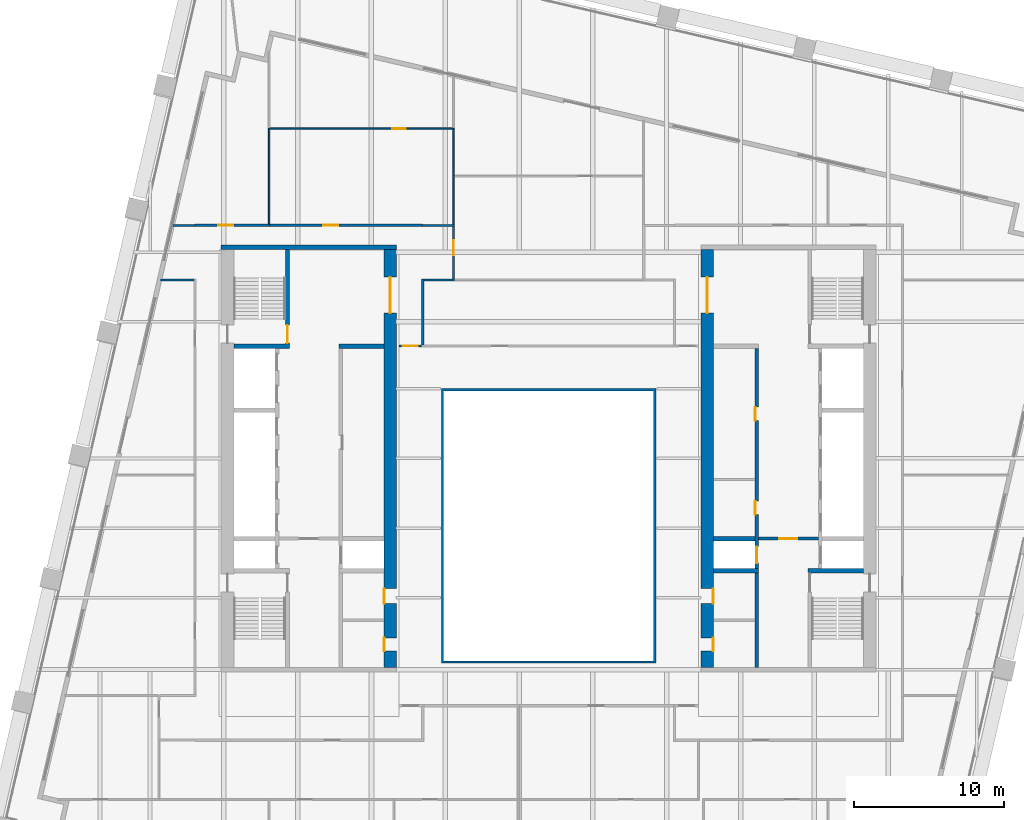
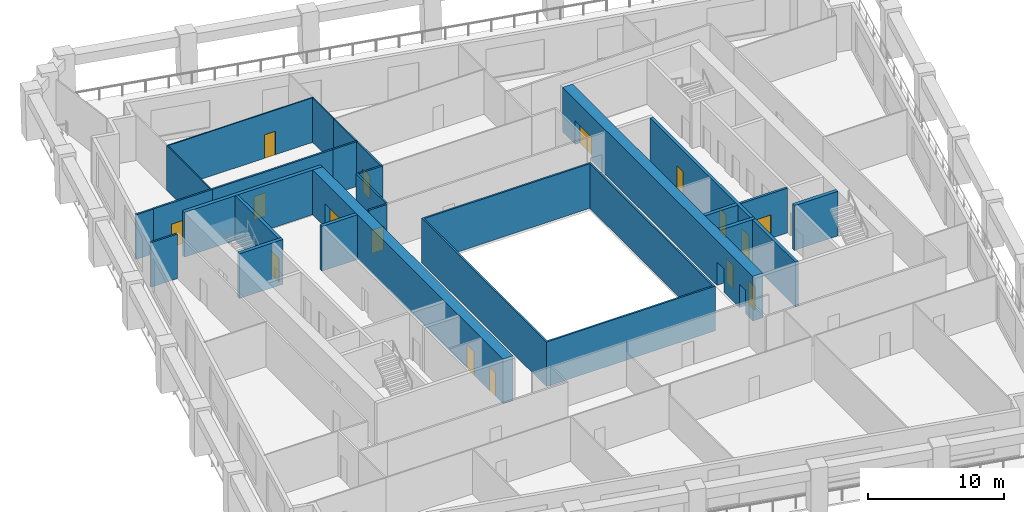
# One storey, part 6 of 10: 25 walls, 16 doors, 16 openings.
"""IFC4 building model written with IfcOpenShell, lengths in metres."""

from ifc_helpers import new_model, si_unit, direction, frame, frame_2d, origin, place, context, subcontext, project, spatial, polyline, rectangle, outline, extrude, material, layer, layer_set, type_object, element, fill, save


model = new_model("IFC4")

# Units and contexts
model_context = context("Model", 3, precision=1e-05, world=origin(), true_north=direction((0.0, 1.0)))
body_context = subcontext(model_context, "Body", "Model", "MODEL_VIEW")
ifc_project = project(units=[si_unit("LENGTHUNIT", "METRE"), si_unit("AREAUNIT", "SQUARE_METRE"), si_unit("VOLUMEUNIT", "CUBIC_METRE"), si_unit("PLANEANGLEUNIT", "RADIAN"), si_unit("MASSUNIT", "GRAM", prefix="KILO")], contexts=[model_context])

# Site, building, storey
site_placement = place(None, origin())
site = spatial("IfcSite", under=ifc_project, at=site_placement, CompositionType="ELEMENT")
building_placement = place(site_placement, origin())
building = spatial("IfcBuilding", under=site, at=building_placement, Name="Ogive Exchange Tower", CompositionType="ELEMENT")
storey_placement = place(building_placement, frame((0.0, 0.0, 147.60009765625)))
storey = spatial("IfcBuildingStorey", under=building, at=storey_placement, Name="L32", CompositionType="ELEMENT", Elevation=147.60009765625)

# Walls
ifc_material_1 = material(Name="Gypsum board partition")
ifc_layer_1 = layer(ifc_material_1, 0.300048828125)
ifc_layer_set_1 = layer_set([ifc_layer_1], Name="Core room partition 300 gypsum")
wall_type_1 = type_object("IfcWallType", Name="Core room partition 300 gypsum", PredefinedType="PARTITIONING", material=ifc_layer_set_1)
wall_1_placement = place(storey_placement, frame((-14.0, 19.0, 0.0), z_axis=(0.0, 0.0, 1.0), x_axis=(1.0, 0.0, 0.0)))
element("IfcWall", 1, at=wall_1_placement, inside=storey, type_object=wall_type_1, Name="W row B room end wall 7", PredefinedType="PARTITIONING", context=body_context, shape_type="SweptSolid", body=[
    extrude(rectangle(XDim=3.0, YDim=0.300048828125, at=frame_2d((1.5, 0.0))), origin(), (0.0, 0.0, 1.0), 4.0),
])
ifc_material_2 = material(Name="Fire partition EI 60 150")
ifc_layer_2 = layer(ifc_material_2, 0.14990234375)
ifc_layer_set_2 = layer_set([ifc_layer_2], Name="Fire partition EI 60 150")
wall_type_2 = type_object("IfcWallType", Name="Fire partition EI 60 150", PredefinedType="PARTITIONING", material=ifc_layer_set_2)
wall_2_placement = place(storey_placement, frame((-25.052001953125, 27.0400390625, 0.0), z_axis=(0.0, 0.0, 1.0), x_axis=(1.0, 0.0, 0.0)))
element("IfcWall", 2, at=wall_2_placement, inside=storey, type_object=wall_type_2, Name="L32-PWL-006", PredefinedType="PARTITIONING", context=body_context, shape_type="SweptSolid", body=[
    extrude(rectangle(XDim=1.451904296875, YDim=0.14990234375, at=frame_2d((0.72607421875, 0.0))), origin(), (0.0, 0.0, 1.0), 4.0),
])
wall_3_placement = place(storey_placement, frame((-23.675048828125, 23.409912109375, 0.0), z_axis=(0.0, 0.0, 1.0), x_axis=(-1.0, 0.0, 0.0)))
element("IfcWall", 3, at=wall_3_placement, inside=storey, type_object=wall_type_2, Name="L32-PWL-011", PredefinedType="PARTITIONING", context=body_context, shape_type="SweptSolid", body=[
    extrude(rectangle(XDim=2.21484375, YDim=0.14990234375, at=frame_2d((1.107421875, 0.0))), origin(), (0.0, 0.0, 1.0), 4.0),
])

# Wall, opening, door
wall_4_placement = place(storey_placement, frame((-23.60009765625, 27.050048828125, 0.0), z_axis=(0.0, 0.0, 1.0), x_axis=(1.0, 0.0, 0.0)))
wall_4 = element("IfcWall", 4, at=wall_4_placement, inside=storey, type_object=wall_type_2, Name="L32-PWL-012", PredefinedType="PARTITIONING", context=body_context, shape_type="SweptSolid", body=[
    extrude(rectangle(XDim=5.0, YDim=0.14990234375, at=frame_2d((2.5, 0.0))), origin(), (0.0, 0.0, 1.0), 4.0),
])
opening_1_placement = place(wall_4_placement, frame((1.550048828125, 0.0, 0.0)))
opening_1 = element("IfcOpeningElement", 5, at=opening_1_placement, cuts=wall_4, Name="Opening L32-I10", PredefinedType="OPENING", context=body_context, shape_type="SweptSolid", body=[
    extrude(rectangle(XDim=1.0, YDim=2.10009765625, at=frame_2d((0.5, 1.050048828125))), frame((0.0, 0.0849609375, 0.0), z_axis=(0.0, -1.0, 0.0), x_axis=(1.0, 0.0, 0.0)), (0.0, 0.0, 1.0), 0.169921875),
])
ifc_material_3 = material(Name="Fire door FD 30S 1000 x 2100")
door_type_1 = type_object("IfcDoorType", Name="Fire door FD 30S 1000 x 2100", OperationType="NOTDEFINED", PredefinedType="DOOR", material=ifc_material_3)
door_1_placement = place(opening_1_placement, origin())
door_1 = element("IfcDoor", 6, at=door_1_placement, inside=storey, type_object=door_type_1, Name="L32-IDR-010", ObjectType="DT3", OperationType="SINGLE_SWING_LEFT", OverallHeight=2.10009765625, OverallWidth=1.0, PredefinedType="DOOR", context=body_context, shape_type="SweptSolid", body=[
    extrude(rectangle(XDim=1.0, YDim=2.10009765625, at=frame_2d((0.5, 1.050048828125))), frame((0.0, 0.02490234375, 0.0), z_axis=(0.0, -1.0, 0.0), x_axis=(1.0, 0.0, 0.0)), (0.0, 0.0, 1.0), 0.050048828125),
])
fill(opening_1, door_1)

wall_5_placement = place(storey_placement, frame((-18.64990234375, 27.050048828125, 0.0), z_axis=(0.0, 0.0, 1.0), x_axis=(1.0, 0.0, 0.0)))
wall_5 = element("IfcWall", 7, at=wall_5_placement, inside=storey, type_object=wall_type_2, Name="L32-PWL-016", PredefinedType="PARTITIONING", context=body_context, shape_type="SweptSolid", body=[
    extrude(rectangle(XDim=10.25, YDim=0.14990234375, at=frame_2d((5.125, 0.0))), origin(), (0.0, 0.0, 1.0), 4.0),
])
opening_2_placement = place(wall_5_placement, frame((3.60009765625, 0.0, 0.0)))
opening_2 = element("IfcOpeningElement", 8, at=opening_2_placement, cuts=wall_5, Name="Opening L32-I08", PredefinedType="OPENING", context=body_context, shape_type="SweptSolid", body=[
    extrude(rectangle(XDim=1.0, YDim=2.10009765625, at=frame_2d((0.5, 1.050048828125))), frame((0.0, 0.0849609375, 0.0), z_axis=(0.0, -1.0, 0.0), x_axis=(1.0, 0.0, 0.0)), (0.0, 0.0, 1.0), 0.169921875),
])
door_2_placement = place(opening_2_placement, origin())
door_2 = element("IfcDoor", 9, at=door_2_placement, inside=storey, type_object=door_type_1, Name="L32-IDR-008", ObjectType="DT3", OperationType="SINGLE_SWING_RIGHT", OverallHeight=2.10009765625, OverallWidth=1.0, PredefinedType="DOOR", context=body_context, shape_type="SweptSolid", body=[
    extrude(rectangle(XDim=1.0, YDim=2.10009765625, at=frame_2d((0.5, 1.050048828125))), frame((0.0, 0.02490234375, 0.0), z_axis=(0.0, -1.0, 0.0), x_axis=(1.0, 0.0, 0.0)), (0.0, 0.0, 1.0), 0.050048828125),
])
fill(opening_2, door_2)

# Walls
wall_6_placement = place(storey_placement, frame((-8.39990234375, 23.485107421875, 0.0), z_axis=(0.0, 0.0, 1.0), x_axis=(0.0, -1.0, 0.0)))
element("IfcWall", 10, at=wall_6_placement, inside=storey, type_object=wall_type_2, Name="L32-PWL-024", PredefinedType="PARTITIONING", context=body_context, shape_type="SweptSolid", body=[
    extrude(rectangle(XDim=4.41015625, YDim=0.14990234375, at=frame_2d((2.205078125, 0.0))), origin(), (0.0, 0.0, 1.0), 4.0),
])
wall_7_placement = place(storey_placement, frame((-8.39990234375, 27.0400390625, 0.0), z_axis=(0.0, 0.0, 1.0), x_axis=(1.0, 0.0, 0.0)))
element("IfcWall", 11, at=wall_7_placement, inside=storey, type_object=wall_type_2, Name="L32-PWL-025", PredefinedType="PARTITIONING", context=body_context, shape_type="SweptSolid", body=[
    extrude(rectangle(XDim=2.135009765625, YDim=0.14990234375, at=frame_2d((1.0673828125, 0.0))), origin(), (0.0, 0.0, 1.0), 4.0),
])
wall_8_placement = place(storey_placement, frame((-6.264892578125, 23.409912109375, 0.0), z_axis=(0.0, 0.0, 1.0), x_axis=(-1.0, 0.0, 0.0)))
element("IfcWall", 12, at=wall_8_placement, inside=storey, type_object=wall_type_2, Name="L32-PWL-026", PredefinedType="PARTITIONING", context=body_context, shape_type="SweptSolid", body=[
    extrude(rectangle(XDim=2.06005859375, YDim=0.14990234375, at=frame_2d((1.030029296875, 0.0))), origin(), (0.0, 0.0, 1.0), 4.0),
])

# Wall, opening, door
wall_9_placement = place(storey_placement, frame((-6.340087890625, 26.965087890625, 0.0), z_axis=(0.0, 0.0, 1.0), x_axis=(0.0, -1.0, 0.0)))
wall_9 = element("IfcWall", 13, at=wall_9_placement, inside=storey, type_object=wall_type_2, Name="L32-PWL-028", PredefinedType="PARTITIONING", context=body_context, shape_type="SweptSolid", body=[
    extrude(rectangle(XDim=3.47998046875, YDim=0.14990234375, at=frame_2d((1.739990234375, 0.0))), origin(), (0.0, 0.0, 1.0), 4.0),
])
opening_3_placement = place(wall_9_placement, frame((0.905029296875, 0.0, 0.0)))
opening_3 = element("IfcOpeningElement", 14, at=opening_3_placement, cuts=wall_9, Name="Opening L32-I06", PredefinedType="OPENING", context=body_context, shape_type="SweptSolid", body=[
    extrude(rectangle(XDim=1.0, YDim=2.10009765625, at=frame_2d((0.5, 1.050048828125))), frame((0.0, 0.0849609375, 0.0), z_axis=(0.0, -1.0, 0.0), x_axis=(1.0, 0.0, 0.0)), (0.0, 0.0, 1.0), 0.169921875),
])
door_3_placement = place(opening_3_placement, origin())
door_3 = element("IfcDoor", 15, at=door_3_placement, inside=storey, type_object=door_type_1, Name="L32-IDR-006", ObjectType="DT3", OperationType="SINGLE_SWING_LEFT", OverallHeight=2.10009765625, OverallWidth=1.0, PredefinedType="DOOR", context=body_context, shape_type="SweptSolid", body=[
    extrude(rectangle(XDim=1.0, YDim=2.10009765625, at=frame_2d((0.5, 1.050048828125))), frame((0.0, 0.02490234375, 0.0), z_axis=(0.0, -1.0, 0.0), x_axis=(1.0, 0.0, 0.0)), (0.0, 0.0, 1.0), 0.050048828125),
])
fill(opening_3, door_3)

wall_10_placement = place(storey_placement, frame((-10.0, 19.0, 0.0), z_axis=(0.0, 0.0, 1.0), x_axis=(1.0, 0.0, 0.0)))
wall_10 = element("IfcWall", 16, at=wall_10_placement, inside=storey, type_object=wall_type_2, Name="L32-PWL-064", PredefinedType="PARTITIONING", context=body_context, shape_type="SweptSolid", body=[
    extrude(rectangle(XDim=1.514892578125, YDim=0.14990234375, at=frame_2d((0.75732421875, 0.0))), origin(), (0.0, 0.0, 1.0), 4.0),
])
opening_4_placement = place(wall_10_placement, frame((0.258056640625, 0.0, 0.0)))
opening_4 = element("IfcOpeningElement", 17, at=opening_4_placement, cuts=wall_10, Name="Opening L32-I23", PredefinedType="OPENING", context=body_context, shape_type="SweptSolid", body=[
    extrude(rectangle(XDim=1.0, YDim=2.10009765625, at=frame_2d((0.5, 1.050048828125))), frame((0.0, 0.0849609375, 0.0), z_axis=(0.0, -1.0, 0.0), x_axis=(1.0, 0.0, 0.0)), (0.0, 0.0, 1.0), 0.169921875),
])
door_4_placement = place(opening_4_placement, origin())
door_4 = element("IfcDoor", 18, at=door_4_placement, inside=storey, type_object=door_type_1, Name="L32-IDR-023", ObjectType="DT3", OperationType="SINGLE_SWING_LEFT", OverallHeight=2.10009765625, OverallWidth=1.0, PredefinedType="DOOR", context=body_context, shape_type="SweptSolid", body=[
    extrude(rectangle(XDim=1.0, YDim=2.10009765625, at=frame_2d((0.5, 1.050048828125))), frame((0.0, 0.02490234375, 0.0), z_axis=(0.0, -1.0, 0.0), x_axis=(1.0, 0.0, 0.0)), (0.0, 0.0, 1.0), 0.050048828125),
])
fill(opening_4, door_4)

# Walls
ifc_material_4 = material(Name="Fire-resisting glass in steel frame", Category="steel")
ifc_layer_3 = layer(ifc_material_4, 0.14990234375)
ifc_layer_set_3 = layer_set([ifc_layer_3], Name="Fire-rated glazed wall 150")
wall_type_3 = type_object("IfcWallType", Name="Fire-rated glazed wall 150", PredefinedType="STANDARD", material=ifc_layer_set_3)
wall_11_placement = place(storey_placement, origin())
element("IfcWall", 19, at=wall_11_placement, inside=storey, type_object=wall_type_3, Name="Nave enclosure wall", PredefinedType="STANDARD", context=body_context, shape_type="SweptSolid", body=[
    extrude(outline(polyline([(-7.14990234375, -2.14990234375), (7.14990234375, -2.14990234375), (7.14990234375, 16.14990234375), (-7.14990234375, 16.14990234375), (-7.14990234375, -2.14990234375)]), holes=[polyline([(-7.0, -2.0), (-7.0, 16.0), (7.0, 16.0), (7.0, -2.0), (-7.0, -2.0)])]), origin(), (0.0, 0.0, 1.0), 4.0),
])
ifc_material_5 = material(Name="Partition 100 gypsum")
ifc_layer_4 = layer(ifc_material_5, 0.10009765625)
ifc_layer_set_4 = layer_set([ifc_layer_4], Name="Partition 100 gypsum")
wall_type_4 = type_object("IfcWallType", Name="Partition 100 gypsum", PredefinedType="PARTITIONING", material=ifc_layer_set_4)
wall_12_placement = place(storey_placement, frame((-18.64990234375, 27.125, 0.0), z_axis=(0.0, 0.0, 1.0), x_axis=(0.0, 1.0, 0.0)))
element("IfcWall", 20, at=wall_12_placement, inside=storey, type_object=wall_type_4, Name="L32-PWL-015", PredefinedType="PARTITIONING", context=body_context, shape_type="SweptSolid", body=[
    extrude(rectangle(XDim=6.425048828125, YDim=0.10009765625, at=frame_2d((3.21240234375, 0.0))), origin(), (0.0, 0.0, 1.0), 4.0),
])

# Wall, opening, door
wall_13_placement = place(storey_placement, frame((-18.60009765625, 33.5, 0.0), z_axis=(0.0, 0.0, 1.0), x_axis=(1.0, 0.0, 0.0)))
wall_13 = element("IfcWall", 21, at=wall_13_placement, inside=storey, type_object=wall_type_4, Name="L32-PWL-018", PredefinedType="PARTITIONING", context=body_context, shape_type="SweptSolid", body=[
    extrude(rectangle(XDim=12.31005859375, YDim=0.10009765625, at=frame_2d((6.155029296875, 0.0))), origin(), (0.0, 0.0, 1.0), 4.0),
])
opening_5_placement = place(wall_13_placement, frame((8.159912109375, 0.0, 0.0)))
opening_5 = element("IfcOpeningElement", 22, at=opening_5_placement, cuts=wall_13, Name="Opening L32-I09", PredefinedType="OPENING", context=body_context, shape_type="SweptSolid", body=[
    extrude(rectangle(XDim=0.89990234375, YDim=2.10009765625, at=frame_2d((0.449951171875, 1.050048828125))), frame((0.0, 0.06005859375, 0.0), z_axis=(0.0, -1.0, 0.0), x_axis=(1.0, 0.0, 0.0)), (0.0, 0.0, 1.0), 0.1201171875),
])
ifc_material_6 = material(Name="Door 900 x 2100")
door_type_2 = type_object("IfcDoorType", Name="Door 900 x 2100", OperationType="NOTDEFINED", PredefinedType="DOOR", material=ifc_material_6)
door_5_placement = place(opening_5_placement, origin())
door_5 = element("IfcDoor", 23, at=door_5_placement, inside=storey, type_object=door_type_2, Name="L32-IDR-009", ObjectType="DT1", OperationType="SINGLE_SWING_LEFT", OverallHeight=2.10009765625, OverallWidth=0.89990234375, PredefinedType="DOOR", context=body_context, shape_type="SweptSolid", body=[
    extrude(rectangle(XDim=0.89990234375, YDim=2.10009765625, at=frame_2d((0.449951171875, 1.050048828125))), frame((0.0, 0.02490234375, 0.0), z_axis=(0.0, -1.0, 0.0), x_axis=(1.0, 0.0, 0.0)), (0.0, 0.0, 1.0), 0.050048828125),
])
fill(opening_5, door_5)

# Walls
wall_14_placement = place(storey_placement, frame((-6.340087890625, 27.114990234375, 0.0), z_axis=(0.0, 0.0, 1.0), x_axis=(0.0, 1.0, 0.0)))
element("IfcWall", 24, at=wall_14_placement, inside=storey, type_object=wall_type_4, Name="L32-PWL-029", PredefinedType="PARTITIONING", context=body_context, shape_type="SweptSolid", body=[
    extrude(rectangle(XDim=3.27490234375, YDim=0.10009765625, at=frame_2d((1.637451171875, 0.0))), origin(), (0.0, 0.0, 1.0), 4.0),
])
wall_15_placement = place(storey_placement, frame((-6.340087890625, 30.389892578125, 0.0), z_axis=(0.0, 0.0, 1.0), x_axis=(0.0, 1.0, 0.0)))
element("IfcWall", 25, at=wall_15_placement, inside=storey, type_object=wall_type_4, Name="L32-PWL-030", PredefinedType="PARTITIONING", context=body_context, shape_type="SweptSolid", body=[
    extrude(rectangle(XDim=3.06005859375, YDim=0.10009765625, at=frame_2d((1.530029296875, 0.0))), origin(), (0.0, 0.0, 1.0), 4.0),
])

# Wall, opening, door
ifc_material_7 = material(Name="Concrete C70/85", Category="concrete")
ifc_layer_5 = layer(ifc_material_7, 0.199951171875)
ifc_layer_set_5 = layer_set([ifc_layer_5], Name="RC core wall 200 C70/85")
wall_type_5 = type_object("IfcWallType", Name="RC core wall 200 C70/85", PredefinedType="SHEAR", material=ifc_layer_set_5)
wall_16_placement = place(storey_placement, frame((14.0, 6.142822265625, 0.0), z_axis=(0.0, 0.0, 1.0), x_axis=(1.0, 0.0, 0.0)))
wall_16 = element("IfcWall", 26, at=wall_16_placement, inside=storey, type_object=wall_type_5, Name="E firefighting lobby wall", PredefinedType="SHEAR", context=body_context, shape_type="SweptSolid", body=[
    extrude(rectangle(XDim=4.0, YDim=0.199951171875, at=frame_2d((2.0, 0.0))), origin(), (0.0, 0.0, 1.0), 4.0),
])
opening_6_placement = place(wall_16_placement, frame((1.39990234375, 0.0, 0.0)))
opening_6 = element("IfcOpeningElement", 27, at=opening_6_placement, cuts=wall_16, Name="Opening L32-C28", PredefinedType="OPENING", context=body_context, shape_type="SweptSolid", body=[
    extrude(rectangle(XDim=1.199951171875, YDim=2.10009765625, at=frame_2d((0.60009765625, 1.050048828125))), frame((0.0, 0.10986328125, 0.0), z_axis=(0.0, -1.0, 0.0), x_axis=(1.0, 0.0, 0.0)), (0.0, 0.0, 1.0), 0.219970703125),
])
ifc_material_8 = material(Name="Steel fire door", Category="steel")
door_type_3 = type_object("IfcDoorType", Name="Firefighting lobby door FD60 1200 x 2100", OperationType="NOTDEFINED", PredefinedType="DOOR", material=ifc_material_8)
door_6_placement = place(opening_6_placement, frame((1.199951171875, 0.0, 0.0), z_axis=(0.0, 0.0, 1.0), x_axis=(-1.0, 0.0, 0.0)))
door_6 = element("IfcDoor", 28, at=door_6_placement, inside=storey, type_object=door_type_3, Name="Firefighting lobby door", ObjectType="CD3", OperationType="SINGLE_SWING_RIGHT", OverallHeight=2.10009765625, OverallWidth=1.199951171875, PredefinedType="DOOR", context=body_context, shape_type="SweptSolid", body=[
    extrude(rectangle(XDim=1.199951171875, YDim=2.10009765625, at=frame_2d((0.60009765625, 1.050048828125))), frame((0.0, 0.02490234375, 0.0), z_axis=(0.0, -1.0, 0.0), x_axis=(1.0, 0.0, 0.0)), (0.0, 0.0, 1.0), 0.050048828125),
])
fill(opening_6, door_6)

ifc_layer_6 = layer(ifc_material_7, 0.25)
ifc_layer_set_6 = layer_set([ifc_layer_6], Name="RC core wall 250 C70/85")
wall_type_6 = type_object("IfcWallType", Name="RC core wall 250 C70/85", PredefinedType="SHEAR", material=ifc_layer_set_6)
wall_17_placement = place(storey_placement, frame((-17.425048828125, 19.14990234375, 0.0), z_axis=(0.0, 0.0, 1.0), x_axis=(0.0, 1.0, 0.0)))
wall_17 = element("IfcWall", 29, at=wall_17_placement, inside=storey, type_object=wall_type_6, Name="W stair N front wall", PredefinedType="SHEAR", context=body_context, shape_type="SweptSolid", body=[
    extrude(rectangle(XDim=6.300048828125, YDim=0.25, at=frame_2d((3.14990234375, 0.0))), origin(), (0.0, 0.0, 1.0), 4.0),
])
opening_7_placement = place(wall_17_placement, frame((0.050048828125, 0.0, 0.0)))
opening_7 = element("IfcOpeningElement", 30, at=opening_7_placement, cuts=wall_17, Name="Opening L32-C14", PredefinedType="OPENING", context=body_context, shape_type="SweptSolid", body=[
    extrude(rectangle(XDim=1.199951171875, YDim=2.10009765625, at=frame_2d((0.60009765625, 1.050048828125))), frame((0.0, 0.135009765625, 0.0), z_axis=(0.0, -1.0, 0.0), x_axis=(1.0, 0.0, 0.0)), (0.0, 0.0, 1.0), 0.27001953125),
])
door_type_4 = type_object("IfcDoorType", Name="Stair door FD90 1200 x 2100", OperationType="NOTDEFINED", PredefinedType="DOOR", material=ifc_material_8)
door_7_placement = place(opening_7_placement, origin())
door_7 = element("IfcDoor", 31, at=door_7_placement, inside=storey, type_object=door_type_4, Name="Stair door", ObjectType="CD5", OperationType="SINGLE_SWING_RIGHT", OverallHeight=2.10009765625, OverallWidth=1.199951171875, PredefinedType="DOOR", context=body_context, shape_type="SweptSolid", body=[
    extrude(rectangle(XDim=1.199951171875, YDim=2.10009765625, at=frame_2d((0.60009765625, 1.050048828125))), frame((0.0, 0.02490234375, 0.0), z_axis=(0.0, -1.0, 0.0), x_axis=(1.0, 0.0, 0.0)), (0.0, 0.0, 1.0), 0.050048828125),
])
fill(opening_7, door_7)

# Wall, openings, doors
wall_18_placement = place(storey_placement, frame((13.875, -2.449951171875, 0.0), z_axis=(0.0, 0.0, 1.0), x_axis=(0.0, 1.0, 0.0)))
wall_18 = element("IfcWall", 32, at=wall_18_placement, inside=storey, type_object=wall_type_6, Name="E row B front wall", PredefinedType="SHEAR", context=body_context, shape_type="SweptSolid", body=[
    extrude(rectangle(XDim=21.300048828125, YDim=0.25, at=frame_2d((10.64990234375, 0.0))), origin(), (0.0, 0.0, 1.0), 4.0),
])
opening_8_placement = place(wall_18_placement, frame((10.1962890625, 0.0, 0.0)))
opening_8 = element("IfcOpeningElement", 33, at=opening_8_placement, cuts=wall_18, Name="Opening L32-C25", PredefinedType="OPENING", context=body_context, shape_type="SweptSolid", body=[
    extrude(rectangle(XDim=0.89990234375, YDim=2.10009765625, at=frame_2d((0.449951171875, 1.050048828125))), frame((0.0, 0.135009765625, 0.0), z_axis=(0.0, -1.0, 0.0), x_axis=(1.0, 0.0, 0.0)), (0.0, 0.0, 1.0), 0.27001953125),
])
opening_9_placement = place(wall_18_placement, frame((16.47509765625, 0.0, 0.0)))
opening_9 = element("IfcOpeningElement", 34, at=opening_9_placement, cuts=wall_18, Name="Opening L32-C26", PredefinedType="OPENING", context=body_context, shape_type="SweptSolid", body=[
    extrude(rectangle(XDim=0.89990234375, YDim=2.10009765625, at=frame_2d((0.449951171875, 1.050048828125))), frame((0.0, 0.135009765625, 0.0), z_axis=(0.0, -1.0, 0.0), x_axis=(1.0, 0.0, 0.0)), (0.0, 0.0, 1.0), 0.27001953125),
])
opening_10_placement = place(wall_18_placement, frame((6.971435546875, 0.0, 0.0)))
opening_10 = element("IfcOpeningElement", 35, at=opening_10_placement, cuts=wall_18, Name="Opening L32-C27", PredefinedType="OPENING", context=body_context, shape_type="SweptSolid", body=[
    extrude(rectangle(XDim=1.10009765625, YDim=2.10009765625, at=frame_2d((0.550048828125, 1.050048828125))), frame((0.0, 0.135009765625, 0.0), z_axis=(0.0, -1.0, 0.0), x_axis=(1.0, 0.0, 0.0)), (0.0, 0.0, 1.0), 0.27001953125),
])
ifc_material_9 = material(Name="Timber fire door", Category="wood")
door_type_5 = type_object("IfcDoorType", Name="Core room door FD30S 900 x 2100", OperationType="NOTDEFINED", PredefinedType="DOOR", material=ifc_material_9)
door_8_placement = place(opening_9_placement, origin())
door_8 = element("IfcDoor", 36, at=door_8_placement, inside=storey, type_object=door_type_5, Name="Core room door", ObjectType="CD6", OperationType="SINGLE_SWING_RIGHT", OverallHeight=2.10009765625, OverallWidth=0.89990234375, PredefinedType="DOOR", context=body_context, shape_type="SweptSolid", body=[
    extrude(rectangle(XDim=0.89990234375, YDim=2.10009765625, at=frame_2d((0.449951171875, 1.050048828125))), frame((0.0, 0.125, 0.0), z_axis=(0.0, -1.0, 0.0), x_axis=(1.0, 0.0, 0.0)), (0.0, 0.0, 1.0), 0.050048828125),
])
fill(opening_9, door_8)
ifc_material_10 = material(Name="Stainless steel", Category="steel")
door_type_6 = type_object("IfcDoorType", Name="Lift landing door FD90 1100 x 2100", OperationType="SLIDING_TO_LEFT", PredefinedType="DOOR", material=ifc_material_10)
door_9_placement = place(opening_10_placement, origin())
door_9 = element("IfcDoor", 37, at=door_9_placement, inside=storey, type_object=door_type_6, Name="Lift landing door SV2", ObjectType="LD", OperationType="SLIDING_TO_LEFT", OverallHeight=2.10009765625, OverallWidth=1.10009765625, PredefinedType="DOOR", context=body_context, shape_type="SweptSolid", body=[
    extrude(rectangle(XDim=1.10009765625, YDim=2.10009765625, at=frame_2d((0.550048828125, 1.050048828125))), frame((0.0, 0.02490234375, 0.0), z_axis=(0.0, -1.0, 0.0), x_axis=(1.0, 0.0, 0.0)), (0.0, 0.0, 1.0), 0.050048828125),
])
fill(opening_10, door_9)
door_type_7 = type_object("IfcDoorType", Name="Riser door FD60 900 x 2100", OperationType="NOTDEFINED", PredefinedType="DOOR", material=ifc_material_8)
door_10_placement = place(opening_8_placement, origin())
door_10 = element("IfcDoor", 38, at=door_10_placement, inside=storey, type_object=door_type_7, Name="Riser door", ObjectType="CD2", OperationType="SINGLE_SWING_RIGHT", OverallHeight=2.10009765625, OverallWidth=0.89990234375, PredefinedType="DOOR", context=body_context, shape_type="SweptSolid", body=[
    extrude(rectangle(XDim=0.89990234375, YDim=2.10009765625, at=frame_2d((0.449951171875, 1.050048828125))), frame((0.0, 0.125, 0.0), z_axis=(0.0, -1.0, 0.0), x_axis=(1.0, 0.0, 0.0)), (0.0, 0.0, 1.0), 0.050048828125),
])
fill(opening_8, door_10)

# Walls
ifc_layer_7 = layer(ifc_material_7, 0.300048828125)
ifc_layer_set_7 = layer_set([ifc_layer_7], Name="RC core wall 300 C70/85")
wall_type_7 = type_object("IfcWallType", Name="RC core wall 300 C70/85", PredefinedType="SHEAR", material=ifc_layer_set_7)
wall_19_placement = place(storey_placement, frame((-21.85009765625, 25.60009765625, 0.0), z_axis=(0.0, 0.0, 1.0), x_axis=(1.0, 0.0, 0.0)))
element("IfcWall", 39, at=wall_19_placement, inside=storey, type_object=wall_type_7, Name="W north end wall", PredefinedType="SHEAR", context=body_context, shape_type="SweptSolid", body=[
    extrude(rectangle(XDim=11.7001953125, YDim=0.300048828125, at=frame_2d((5.85009765625, 0.0))), origin(), (0.0, 0.0, 1.0), 4.0),
])
for number, where, z_axis, x_axis, name in (
    (40, (-21.0, 19.0, 0.0), (0.0, 0.0, 1.0), (1.0, 0.0, 0.0), "W stair N south wall"),
    (41, (17.300048828125, 4.0, 0.0), (0.0, 0.0, 1.0), (1.0, 0.0, 0.0), "E stair S north wall"),
):
    element("IfcWall", number, at=place(storey_placement, frame(where, z_axis=z_axis, x_axis=x_axis)), inside=storey, type_object=wall_type_7, Name=name, PredefinedType="SHEAR", context=body_context, shape_type="SweptSolid", body=[
        extrude(rectangle(XDim=3.699951171875, YDim=0.300048828125, at=frame_2d((1.85009765625, 0.0))), origin(), (0.0, 0.0, 1.0), 4.0),
    ])
wall_20_placement = place(storey_placement, frame((11.0, 4.0, 0.0), z_axis=(0.0, 0.0, 1.0), x_axis=(1.0, 0.0, 0.0)))
element("IfcWall", 42, at=wall_20_placement, inside=storey, type_object=wall_type_7, Name="E row B divider 0", PredefinedType="SHEAR", context=body_context, shape_type="SweptSolid", body=[
    extrude(rectangle(XDim=3.0, YDim=0.300048828125, at=frame_2d((1.5, 0.0))), origin(), (0.0, 0.0, 1.0), 4.0),
])
wall_21_placement = place(storey_placement, frame((11.0, 6.142822265625, 0.0), z_axis=(0.0, 0.0, 1.0), x_axis=(1.0, 0.0, 0.0)))
element("IfcWall", 43, at=wall_21_placement, inside=storey, type_object=wall_type_7, Name="E row B divider 1", PredefinedType="SHEAR", context=body_context, shape_type="SweptSolid", body=[
    extrude(rectangle(XDim=2.75, YDim=0.300048828125, at=frame_2d((1.375, 0.0))), origin(), (0.0, 0.0, 1.0), 4.0),
])

# Wall, openings, doors
ifc_layer_8 = layer(ifc_material_7, 0.85009765625)
ifc_layer_set_8 = layer_set([ifc_layer_8], Name="RC core wall 850 C70/85")
wall_type_8 = type_object("IfcWallType", Name="RC core wall 850 C70/85", PredefinedType="SHEAR", material=ifc_layer_set_8)
wall_22_placement = place(storey_placement, frame((-10.574951171875, -2.449951171875, 0.0), z_axis=(0.0, 0.0, 1.0), x_axis=(0.0, 1.0, 0.0)))
wall_22 = element("IfcWall", 44, at=wall_22_placement, inside=storey, type_object=wall_type_8, Name="W inner wall", PredefinedType="SHEAR", context=body_context, shape_type="SweptSolid", body=[
    extrude(rectangle(XDim=27.89990234375, YDim=0.85009765625, at=frame_2d((13.949951171875, 0.0))), origin(), (0.0, 0.0, 1.0), 4.0),
])
opening_11_placement = place(wall_22_placement, frame((23.64990234375, 0.0, 0.0)))
opening_11 = element("IfcOpeningElement", 45, at=opening_11_placement, cuts=wall_22, Name="Opening L32-C11", PredefinedType="OPENING", context=body_context, shape_type="SweptSolid", body=[
    extrude(rectangle(XDim=2.39990234375, YDim=2.10009765625, at=frame_2d((1.199951171875, 1.050048828125))), frame((0.0, 0.43505859375, 0.0), z_axis=(0.0, -1.0, 0.0), x_axis=(1.0, 0.0, 0.0)), (0.0, 0.0, 1.0), 0.8701171875),
])
opening_12_placement = place(wall_22_placement, frame((1.08740234375, 0.0, 0.0)))
opening_12 = element("IfcOpeningElement", 46, at=opening_12_placement, cuts=wall_22, Name="Opening L32-C16", PredefinedType="OPENING", context=body_context, shape_type="SweptSolid", body=[
    extrude(rectangle(XDim=0.89990234375, YDim=2.10009765625, at=frame_2d((0.449951171875, 1.050048828125))), frame((0.0, 0.43505859375, 0.0), z_axis=(0.0, -1.0, 0.0), x_axis=(1.0, 0.0, 0.0)), (0.0, 0.0, 1.0), 0.8701171875),
])
opening_13_placement = place(wall_22_placement, frame((4.262451171875, 0.0, 0.0)))
opening_13 = element("IfcOpeningElement", 47, at=opening_13_placement, cuts=wall_22, Name="Opening L32-C17", PredefinedType="OPENING", context=body_context, shape_type="SweptSolid", body=[
    extrude(rectangle(XDim=1.0, YDim=2.10009765625, at=frame_2d((0.5, 1.050048828125))), frame((0.0, 0.43505859375, 0.0), z_axis=(0.0, -1.0, 0.0), x_axis=(1.0, 0.0, 0.0)), (0.0, 0.0, 1.0), 0.8701171875),
])
door_type_8 = type_object("IfcDoorType", Name="Accessible WC door FD30S 1000 x 2100", OperationType="NOTDEFINED", PredefinedType="DOOR", material=ifc_material_9)
door_11_placement = place(opening_13_placement, origin())
door_11 = element("IfcDoor", 48, at=door_11_placement, inside=storey, type_object=door_type_8, Name="Accessible WC door", ObjectType="CD7", OperationType="SINGLE_SWING_LEFT", OverallHeight=2.10009765625, OverallWidth=1.0, PredefinedType="DOOR", context=body_context, shape_type="SweptSolid", body=[
    extrude(rectangle(XDim=1.0, YDim=2.10009765625, at=frame_2d((0.5, 1.050048828125))), frame((0.0, 0.4248046875, 0.0), z_axis=(0.0, -1.0, 0.0), x_axis=(1.0, 0.0, 0.0)), (0.0, 0.0, 1.0), 0.050048828125),
])
fill(opening_13, door_11)
door_12_placement = place(opening_12_placement, origin())
door_12 = element("IfcDoor", 49, at=door_12_placement, inside=storey, type_object=door_type_5, Name="Core room door", ObjectType="CD6", OperationType="SINGLE_SWING_LEFT", OverallHeight=2.10009765625, OverallWidth=0.89990234375, PredefinedType="DOOR", context=body_context, shape_type="SweptSolid", body=[
    extrude(rectangle(XDim=0.89990234375, YDim=2.10009765625, at=frame_2d((0.449951171875, 1.050048828125))), frame((0.0, 0.4248046875, 0.0), z_axis=(0.0, -1.0, 0.0), x_axis=(1.0, 0.0, 0.0)), (0.0, 0.0, 1.0), 0.050048828125),
])
fill(opening_12, door_12)
ifc_material_11 = material(Name="Glazed steel fire door", Category="steel")
door_type_9 = type_object("IfcDoorType", Name="Lift lobby double door FD60 2400 x 2100", OperationType="DOUBLE_DOOR_SINGLE_SWING", PredefinedType="DOOR", material=ifc_material_11)
door_13_placement = place(opening_11_placement, origin())
door_13 = element("IfcDoor", 50, at=door_13_placement, inside=storey, type_object=door_type_9, Name="Lift lobby double door", ObjectType="CD4", OperationType="DOUBLE_DOOR_SINGLE_SWING", OverallHeight=2.10009765625, OverallWidth=2.39990234375, PredefinedType="DOOR", context=body_context, shape_type="SweptSolid", body=[
    extrude(rectangle(XDim=2.39990234375, YDim=2.10009765625, at=frame_2d((1.199951171875, 1.050048828125))), frame((0.0, 0.02490234375, 0.0), z_axis=(0.0, -1.0, 0.0), x_axis=(1.0, 0.0, 0.0)), (0.0, 0.0, 1.0), 0.050048828125),
])
fill(opening_11, door_13)

wall_23_placement = place(storey_placement, frame((10.574951171875, -2.449951171875, 0.0), z_axis=(0.0, 0.0, 1.0), x_axis=(0.0, 1.0, 0.0)))
wall_23 = element("IfcWall", 51, at=wall_23_placement, inside=storey, type_object=wall_type_8, Name="E inner wall", PredefinedType="SHEAR", context=body_context, shape_type="SweptSolid", body=[
    extrude(rectangle(XDim=27.89990234375, YDim=0.85009765625, at=frame_2d((13.949951171875, 0.0))), origin(), (0.0, 0.0, 1.0), 4.0),
])
opening_14_placement = place(wall_23_placement, frame((23.64990234375, 0.0, 0.0)))
opening_14 = element("IfcOpeningElement", 52, at=opening_14_placement, cuts=wall_23, Name="Opening L32-C29", PredefinedType="OPENING", context=body_context, shape_type="SweptSolid", body=[
    extrude(rectangle(XDim=2.39990234375, YDim=2.10009765625, at=frame_2d((1.199951171875, 1.050048828125))), frame((0.0, 0.43505859375, 0.0), z_axis=(0.0, -1.0, 0.0), x_axis=(1.0, 0.0, 0.0)), (0.0, 0.0, 1.0), 0.8701171875),
])
opening_15_placement = place(wall_23_placement, frame((1.08740234375, 0.0, 0.0)))
opening_15 = element("IfcOpeningElement", 53, at=opening_15_placement, cuts=wall_23, Name="Opening L32-C34", PredefinedType="OPENING", context=body_context, shape_type="SweptSolid", body=[
    extrude(rectangle(XDim=0.89990234375, YDim=2.10009765625, at=frame_2d((0.449951171875, 1.050048828125))), frame((0.0, 0.43505859375, 0.0), z_axis=(0.0, -1.0, 0.0), x_axis=(1.0, 0.0, 0.0)), (0.0, 0.0, 1.0), 0.8701171875),
])
opening_16_placement = place(wall_23_placement, frame((4.262451171875, 0.0, 0.0)))
opening_16 = element("IfcOpeningElement", 54, at=opening_16_placement, cuts=wall_23, Name="Opening L32-C35", PredefinedType="OPENING", context=body_context, shape_type="SweptSolid", body=[
    extrude(rectangle(XDim=1.0, YDim=2.10009765625, at=frame_2d((0.5, 1.050048828125))), frame((0.0, 0.43505859375, 0.0), z_axis=(0.0, -1.0, 0.0), x_axis=(1.0, 0.0, 0.0)), (0.0, 0.0, 1.0), 0.8701171875),
])
door_14_placement = place(opening_16_placement, frame((1.0, -0.7998046875, 0.0), z_axis=(0.0, 0.0, 1.0), x_axis=(-1.0, 0.0, 0.0)))
door_14 = element("IfcDoor", 55, at=door_14_placement, inside=storey, type_object=door_type_8, Name="Accessible WC door", ObjectType="CD7", OperationType="SINGLE_SWING_RIGHT", OverallHeight=2.10009765625, OverallWidth=1.0, PredefinedType="DOOR", context=body_context, shape_type="SweptSolid", body=[
    extrude(rectangle(XDim=1.0, YDim=2.10009765625, at=frame_2d((0.5, 1.050048828125))), frame((0.0, -0.375, 0.0), z_axis=(0.0, -1.0, 0.0), x_axis=(1.0, 0.0, 0.0)), (0.0, 0.0, 1.0), 0.050048828125),
])
fill(opening_16, door_14)
door_15_placement = place(opening_15_placement, frame((0.89990234375, -0.7998046875, 0.0), z_axis=(0.0, 0.0, 1.0), x_axis=(-1.0, 0.0, 0.0)))
door_15 = element("IfcDoor", 56, at=door_15_placement, inside=storey, type_object=door_type_5, Name="Core room door", ObjectType="CD6", OperationType="SINGLE_SWING_RIGHT", OverallHeight=2.10009765625, OverallWidth=0.89990234375, PredefinedType="DOOR", context=body_context, shape_type="SweptSolid", body=[
    extrude(rectangle(XDim=0.89990234375, YDim=2.10009765625, at=frame_2d((0.449951171875, 1.050048828125))), frame((0.0, -0.375, 0.0), z_axis=(0.0, -1.0, 0.0), x_axis=(1.0, 0.0, 0.0)), (0.0, 0.0, 1.0), 0.050048828125),
])
fill(opening_15, door_15)
door_16_placement = place(opening_14_placement, frame((2.39990234375, 0.0, 0.0), z_axis=(0.0, 0.0, 1.0), x_axis=(-1.0, 0.0, 0.0)))
door_16 = element("IfcDoor", 57, at=door_16_placement, inside=storey, type_object=door_type_9, Name="Lift lobby double door", ObjectType="CD4", OperationType="DOUBLE_DOOR_SINGLE_SWING", OverallHeight=2.10009765625, OverallWidth=2.39990234375, PredefinedType="DOOR", context=body_context, shape_type="SweptSolid", body=[
    extrude(rectangle(XDim=2.39990234375, YDim=2.10009765625, at=frame_2d((1.199951171875, 1.050048828125))), frame((0.0, 0.02490234375, 0.0), z_axis=(0.0, -1.0, 0.0), x_axis=(1.0, 0.0, 0.0)), (0.0, 0.0, 1.0), 0.050048828125),
])
fill(opening_14, door_16)

save(model, "model.ifc")
